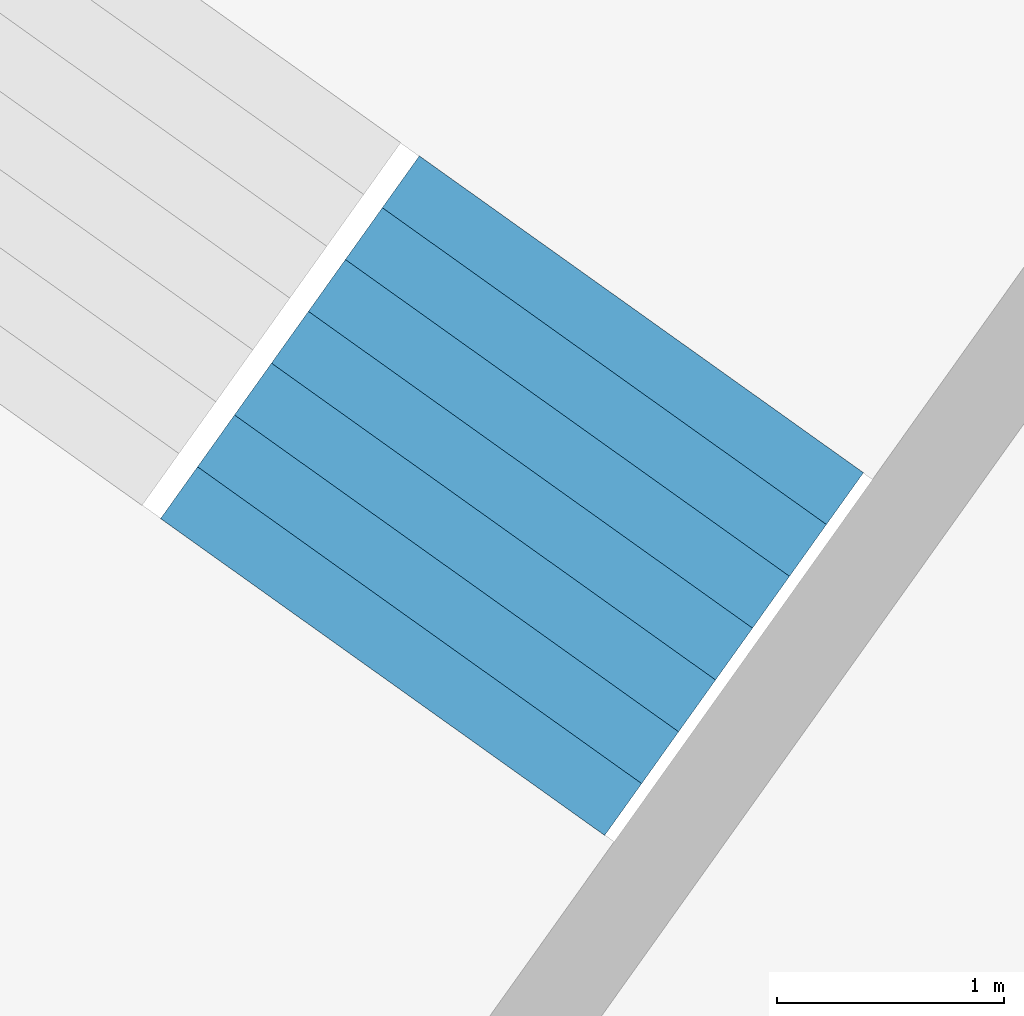
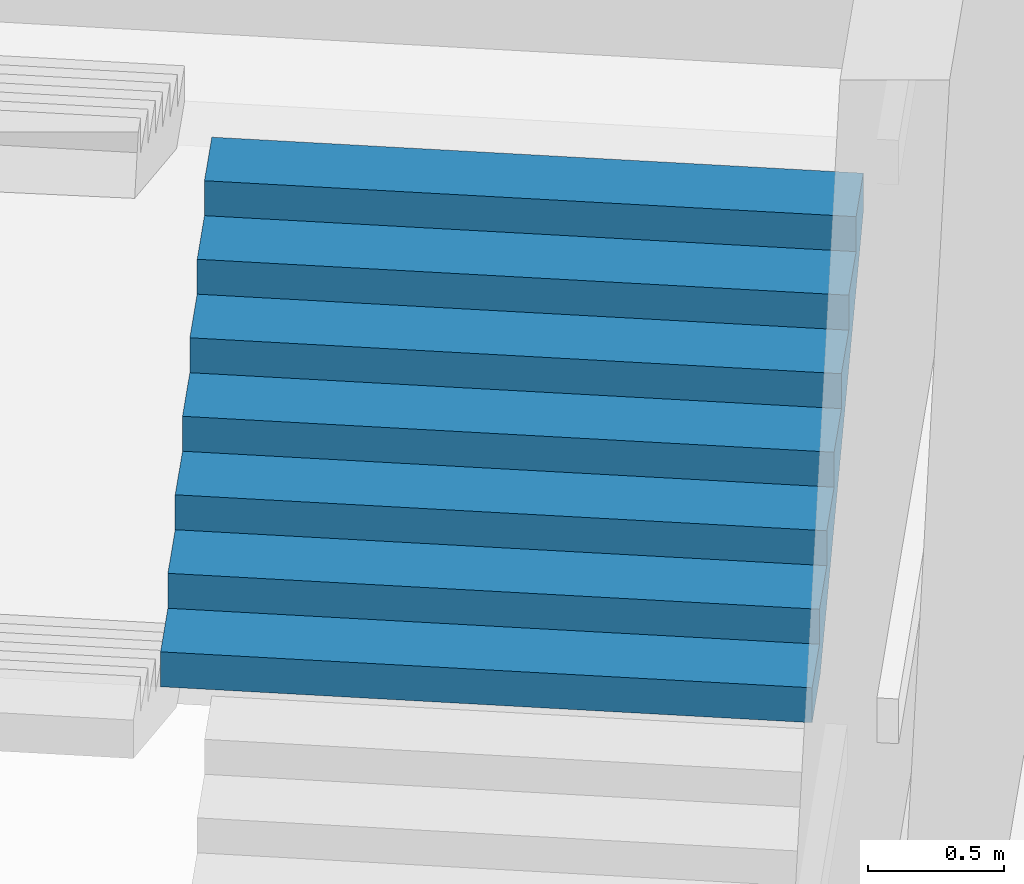
# One storey, part 72 of 73: 1 stair flight, 1 element without a shape of its own.
"""IFC4 building model written with IfcOpenShell, lengths in metres."""

from ifc_helpers import new_model, si_unit, direction, frame, origin, place, context, subcontext, project, spatial, triangles, material, type_object, element, aggregate, save


model = new_model("IFC4")

# Units and contexts
model_context = context("Model", 3, precision=1e-05, world=origin(), true_north=direction((0.0, 1.0)))
body_context = subcontext(model_context, "Body", "Model", "MODEL_VIEW")
ifc_project = project(units=[si_unit("LENGTHUNIT", "METRE"), si_unit("AREAUNIT", "SQUARE_METRE"), si_unit("VOLUMEUNIT", "CUBIC_METRE"), si_unit("PLANEANGLEUNIT", "RADIAN"), si_unit("MASSUNIT", "GRAM", prefix="KILO")], contexts=[model_context])

# Site, building, storey
site_placement = place(None, origin())
site = spatial("IfcSite", under=ifc_project, at=site_placement, CompositionType="ELEMENT")
building_placement = place(site_placement, origin())
building = spatial("IfcBuilding", under=site, at=building_placement, Name="Lantaw Convention Tower", CompositionType="ELEMENT")
storey_placement = place(building_placement, frame((0.0, 0.0, 22.0)))
storey = spatial("IfcBuildingStorey", under=building, at=storey_placement, Name="L03", CompositionType="ELEMENT", Elevation=22.0)

# Stair, stair flight
ifc_material = material(Name="Concrete C35/45", Category="concrete")
stair_type = type_object("IfcStairType", Name="Exit stair 2400 riser 156.25 in 4 flights", PredefinedType="HALF_TURN_STAIR", material=ifc_material)
stair_placement = place(storey_placement, origin())
stair = element("IfcStair", 1, at=stair_placement, inside=storey, type_object=stair_type, Name="Podium exit stair P4 L03", PredefinedType="HALF_TURN_STAIR")
stair_flight_type = type_object("IfcStairFlightType", Name="Stair flight 2400 riser 156.25", PredefinedType="STRAIGHT", material=ifc_material)
stair_flight_placement = place(storey_placement, frame((19.005615234375, 24.4921875, 2.5), z_axis=(0.0, 0.0, 1.0), x_axis=(0.580702955711, 0.814115518356, 0.0)))
stair_flight = element("IfcStairFlight", 2, at=stair_flight_placement, type_object=stair_flight_type, Name="P4 flight 3", NumberOfRisers=8, NumberOfTreads=7, PredefinedType="STRAIGHT", RiserHeight=0.15625, TreadLength=0.28, context=body_context, shape_type="Tessellation", body=[
    triangles([(0.0, 1.199951171875, 0.0), (0.0, 1.199951171875, 0.15625), (0.28, 1.199951171875, 0.0), (0.28, 1.199951171875, 0.15625), (0.28, 1.199951171875, 0.3125), (0.3076200632058044, 1.199951171875, 0.0), (0.3076200632058044, 1.199951171875, 0.3125), (0.56, 1.199951171875, 0.14083701830033238), (0.56, 1.199951171875, 0.3125), (0.56, 1.199951171875, 0.46875), (0.8400000000000001, 1.199951171875, 0.29708701830033235), (0.8400000000000001, 1.199951171875, 0.46875), (0.8400000000000001, 1.199951171875, 0.625), (1.12, 1.199951171875, 0.45333701830033235), (1.12, 1.199951171875, 0.625), (1.12, 1.199951171875, 0.78125), (1.4000000000000001, 1.199951171875, 0.6095870183003324), (1.4000000000000001, 1.199951171875, 0.78125), (1.4000000000000001, 1.199951171875, 0.9375), (1.6800000000000002, 1.199951171875, 0.7658370183003324), (1.6800000000000002, 1.199951171875, 0.9375), (1.6800000000000002, 1.199951171875, 1.09375), (1.9600000000000002, 1.199951171875, 0.9220870183003324), (1.9600000000000002, 1.199951171875, 1.09375), (0.0, -1.199951171875, 0.0), (0.0, -1.199951171875, 0.15625), (0.28, -1.199951171875, 0.0), (0.28, -1.199951171875, 0.15625), (0.28, -1.199951171875, 0.3125), (0.3076200632058044, -1.199951171875, 0.0), (0.3076200632058044, -1.199951171875, 0.3125), (0.56, -1.199951171875, 0.14083701830033238), (0.56, -1.199951171875, 0.3125), (0.56, -1.199951171875, 0.46875), (0.8400000000000001, -1.199951171875, 0.29708701830033235), (0.8400000000000001, -1.199951171875, 0.46875), (0.8400000000000001, -1.199951171875, 0.625), (1.12, -1.199951171875, 0.45333701830033235), (1.12, -1.199951171875, 0.625), (1.12, -1.199951171875, 0.78125), (1.4000000000000001, -1.199951171875, 0.6095870183003324), (1.4000000000000001, -1.199951171875, 0.78125), (1.4000000000000001, -1.199951171875, 0.9375), (1.6800000000000002, -1.199951171875, 0.7658370183003324), (1.6800000000000002, -1.199951171875, 0.9375), (1.6800000000000002, -1.199951171875, 1.09375), (1.9600000000000002, -1.199951171875, 0.9220870183003324), (1.9600000000000002, -1.199951171875, 1.09375), (0.0, 0.239990234375, 0.15625), (0.0, 0.239990234375, 0.0), (0.0, 0.1919921875, 0.15625), (0.0, 0.1919921875, 0.0), (0.0, 0.143994140625, 0.15625), (0.0, 0.143994140625, 0.0), (0.0, 0.09599609375, 0.15625), (0.0, 0.09599609375, 0.0), (0.0, 0.047998046875, 0.15625), (0.0, 0.047998046875, 0.0), (0.0, 0.0, 0.15625), (0.0, 0.0, 0.0), (0.0, -0.047998046875, 0.15625), (0.0, -0.047998046875, 0.0), (0.0, -0.09599609375, 0.15625), (0.0, -0.09599609375, 0.0), (0.0, -0.143994140625, 0.15625), (0.0, -0.143994140625, 0.0), (0.0, -0.1919921875, 0.15625), (0.0, -0.1919921875, 0.0), (0.0, -0.239990234375, 0.15625), (0.0, -0.239990234375, 0.0), (0.28, 0.239990234375, 0.3125), (0.28, 0.239990234375, 0.15625), (0.28, 0.1919921875, 0.3125), (0.28, 0.1919921875, 0.15625), (0.28, 0.143994140625, 0.3125), (0.28, 0.143994140625, 0.15625), (0.28, 0.09599609375, 0.3125), (0.28, 0.09599609375, 0.15625), (0.28, 0.047998046875, 0.3125), (0.28, 0.047998046875, 0.15625), (0.28, 0.0, 0.3125), (0.28, 0.0, 0.15625), (0.28, -0.047998046875, 0.3125), (0.28, -0.047998046875, 0.15625), (0.28, -0.09599609375, 0.3125), (0.28, -0.09599609375, 0.15625), (0.28, -0.143994140625, 0.3125), (0.28, -0.143994140625, 0.15625), (0.28, -0.1919921875, 0.3125), (0.28, -0.1919921875, 0.15625), (0.28, -0.239990234375, 0.3125), (0.28, -0.239990234375, 0.15625), (0.56, 0.239990234375, 0.46875), (0.56, 0.239990234375, 0.3125), (0.56, 0.1919921875, 0.46875), (0.56, 0.1919921875, 0.3125), (0.56, 0.143994140625, 0.46875), (0.56, 0.143994140625, 0.3125), (0.56, 0.09599609375, 0.46875), (0.56, 0.09599609375, 0.3125), (0.56, 0.047998046875, 0.46875), (0.56, 0.047998046875, 0.3125), (0.56, 0.0, 0.46875), (0.56, 0.0, 0.3125), (0.56, -0.047998046875, 0.46875), (0.56, -0.047998046875, 0.3125), (0.56, -0.09599609375, 0.46875), (0.56, -0.09599609375, 0.3125), (0.56, -0.143994140625, 0.46875), (0.56, -0.143994140625, 0.3125), (0.56, -0.1919921875, 0.46875), (0.56, -0.1919921875, 0.3125), (0.56, -0.239990234375, 0.46875), (0.56, -0.239990234375, 0.3125), (0.8400000000000001, 0.239990234375, 0.625), (0.8400000000000001, 0.239990234375, 0.46875), (0.8400000000000001, 0.1919921875, 0.625), (0.8400000000000001, 0.1919921875, 0.46875), (0.8400000000000001, 0.143994140625, 0.625), (0.8400000000000001, 0.143994140625, 0.46875), (0.8400000000000001, 0.09599609375, 0.625), (0.8400000000000001, 0.09599609375, 0.46875), (0.8400000000000001, 0.047998046875, 0.625), (0.8400000000000001, 0.047998046875, 0.46875), (0.8400000000000001, 0.0, 0.625), (0.8400000000000001, 0.0, 0.46875), (0.8400000000000001, -0.047998046875, 0.625), (0.8400000000000001, -0.047998046875, 0.46875), (0.8400000000000001, -0.09599609375, 0.625), (0.8400000000000001, -0.09599609375, 0.46875), (0.8400000000000001, -0.143994140625, 0.625), (0.8400000000000001, -0.143994140625, 0.46875), (0.8400000000000001, -0.1919921875, 0.625), (0.8400000000000001, -0.1919921875, 0.46875), (0.8400000000000001, -0.239990234375, 0.625), (0.8400000000000001, -0.239990234375, 0.46875), (1.12, 0.239990234375, 0.78125), (1.12, 0.239990234375, 0.625), (1.12, 0.1919921875, 0.78125), (1.12, 0.1919921875, 0.625), (1.12, 0.143994140625, 0.78125), (1.12, 0.143994140625, 0.625), (1.12, 0.09599609375, 0.78125), (1.12, 0.09599609375, 0.625), (1.12, 0.047998046875, 0.78125), (1.12, 0.047998046875, 0.625), (1.12, 0.0, 0.78125), (1.12, 0.0, 0.625), (1.12, -0.047998046875, 0.78125), (1.12, -0.047998046875, 0.625), (1.12, -0.09599609375, 0.78125), (1.12, -0.09599609375, 0.625), (1.12, -0.143994140625, 0.78125), (1.12, -0.143994140625, 0.625), (1.12, -0.1919921875, 0.78125), (1.12, -0.1919921875, 0.625), (1.12, -0.239990234375, 0.78125), (1.12, -0.239990234375, 0.625), (1.4000000000000001, 0.239990234375, 0.9375), (1.4000000000000001, 0.239990234375, 0.78125), (1.4000000000000001, 0.1919921875, 0.9375), (1.4000000000000001, 0.1919921875, 0.78125), (1.4000000000000001, 0.143994140625, 0.9375), (1.4000000000000001, 0.143994140625, 0.78125), (1.4000000000000001, 0.09599609375, 0.9375), (1.4000000000000001, 0.09599609375, 0.78125), (1.4000000000000001, 0.047998046875, 0.9375), (1.4000000000000001, 0.047998046875, 0.78125), (1.4000000000000001, 0.0, 0.9375), (1.4000000000000001, 0.0, 0.78125), (1.4000000000000001, -0.047998046875, 0.9375), (1.4000000000000001, -0.047998046875, 0.78125), (1.4000000000000001, -0.09599609375, 0.9375), (1.4000000000000001, -0.09599609375, 0.78125), (1.4000000000000001, -0.143994140625, 0.9375), (1.4000000000000001, -0.143994140625, 0.78125), (1.4000000000000001, -0.1919921875, 0.9375), (1.4000000000000001, -0.1919921875, 0.78125), (1.4000000000000001, -0.239990234375, 0.9375), (1.4000000000000001, -0.239990234375, 0.78125), (1.6800000000000002, 0.239990234375, 1.09375), (1.6800000000000002, 0.239990234375, 0.9375), (1.6800000000000002, 0.1919921875, 1.09375), (1.6800000000000002, 0.1919921875, 0.9375), (1.6800000000000002, 0.143994140625, 1.09375), (1.6800000000000002, 0.143994140625, 0.9375), (1.6800000000000002, 0.09599609375, 1.09375), (1.6800000000000002, 0.09599609375, 0.9375), (1.6800000000000002, 0.047998046875, 1.09375), (1.6800000000000002, 0.047998046875, 0.9375), (1.6800000000000002, 0.0, 1.09375), (1.6800000000000002, 0.0, 0.9375), (1.6800000000000002, -0.047998046875, 1.09375), (1.6800000000000002, -0.047998046875, 0.9375), (1.6800000000000002, -0.09599609375, 1.09375), (1.6800000000000002, -0.09599609375, 0.9375), (1.6800000000000002, -0.143994140625, 1.09375), (1.6800000000000002, -0.143994140625, 0.9375), (1.6800000000000002, -0.1919921875, 1.09375), (1.6800000000000002, -0.1919921875, 0.9375), (1.6800000000000002, -0.239990234375, 1.09375), (1.6800000000000002, -0.239990234375, 0.9375), (0.3076200632058044, 0.239990234375, 0.3125), (0.3076200632058044, 0.1919921875, 0.3125), (0.3076200632058044, 0.143994140625, 0.3125), (0.3076200632058044, 0.09599609375, 0.3125), (0.3076200632058044, 0.047998046875, 0.3125), (0.3076200632058044, 0.0, 0.3125), (0.3076200632058044, -0.047998046875, 0.3125), (0.3076200632058044, -0.09599609375, 0.3125), (0.3076200632058044, -0.143994140625, 0.3125), (0.3076200632058044, -0.1919921875, 0.3125), (0.3076200632058044, -0.239990234375, 0.3125), (1.9600000000000002, 0.239990234375, 1.09375), (1.9600000000000002, 0.1919921875, 1.09375), (1.9600000000000002, 0.143994140625, 1.09375), (1.9600000000000002, 0.09599609375, 1.09375), (1.9600000000000002, 0.047998046875, 1.09375), (1.9600000000000002, 0.0, 1.09375), (1.9600000000000002, -0.047998046875, 1.09375), (1.9600000000000002, -0.09599609375, 1.09375), (1.9600000000000002, -0.143994140625, 1.09375), (1.9600000000000002, -0.1919921875, 1.09375), (1.9600000000000002, -0.239990234375, 1.09375), (1.9600000000000002, 0.239990234375, 0.9220870183003324), (1.9600000000000002, 0.1919921875, 0.9220870183003324), (1.9600000000000002, 0.143994140625, 0.9220870183003324), (1.9600000000000002, 0.09599609375, 0.9220870183003324), (1.9600000000000002, 0.047998046875, 0.9220870183003324), (1.9600000000000002, 0.0, 0.9220870183003324), (1.9600000000000002, -0.047998046875, 0.9220870183003324), (1.9600000000000002, -0.09599609375, 0.9220870183003324), (1.9600000000000002, -0.143994140625, 0.9220870183003324), (1.9600000000000002, -0.1919921875, 0.9220870183003324), (1.9600000000000002, -0.239990234375, 0.9220870183003324), (1.6800000000000002, 0.239990234375, 0.7658370183003324), (1.6800000000000002, 0.1919921875, 0.7658370183003324), (1.6800000000000002, 0.143994140625, 0.7658370183003324), (1.6800000000000002, 0.09599609375, 0.7658370183003324), (1.6800000000000002, 0.047998046875, 0.7658370183003324), (1.6800000000000002, 0.0, 0.7658370183003324), (1.6800000000000002, -0.047998046875, 0.7658370183003324), (1.6800000000000002, -0.09599609375, 0.7658370183003324), (1.6800000000000002, -0.143994140625, 0.7658370183003324), (1.6800000000000002, -0.1919921875, 0.7658370183003324), (1.6800000000000002, -0.239990234375, 0.7658370183003324), (1.4000000000000001, 0.239990234375, 0.6095870183003324), (1.4000000000000001, 0.1919921875, 0.6095870183003324), (1.4000000000000001, 0.143994140625, 0.6095870183003324), (1.4000000000000001, 0.09599609375, 0.6095870183003324), (1.4000000000000001, 0.047998046875, 0.6095870183003324), (1.4000000000000001, 0.0, 0.6095870183003324), (1.4000000000000001, -0.047998046875, 0.6095870183003324), (1.4000000000000001, -0.09599609375, 0.6095870183003324), (1.4000000000000001, -0.143994140625, 0.6095870183003324), (1.4000000000000001, -0.1919921875, 0.6095870183003324), (1.4000000000000001, -0.239990234375, 0.6095870183003324), (1.12, 0.239990234375, 0.45333701830033235), (1.12, 0.1919921875, 0.45333701830033235), (1.12, 0.143994140625, 0.45333701830033235), (1.12, 0.09599609375, 0.45333701830033235), (1.12, 0.047998046875, 0.45333701830033235), (1.12, 0.0, 0.45333701830033235), (1.12, -0.047998046875, 0.45333701830033235), (1.12, -0.09599609375, 0.45333701830033235), (1.12, -0.143994140625, 0.45333701830033235), (1.12, -0.1919921875, 0.45333701830033235), (1.12, -0.239990234375, 0.45333701830033235), (0.8400000000000001, 0.239990234375, 0.29708701830033235), (0.8400000000000001, 0.1919921875, 0.29708701830033235), (0.8400000000000001, 0.143994140625, 0.29708701830033235), (0.8400000000000001, 0.09599609375, 0.29708701830033235), (0.8400000000000001, 0.047998046875, 0.29708701830033235), (0.8400000000000001, 0.0, 0.29708701830033235), (0.8400000000000001, -0.047998046875, 0.29708701830033235), (0.8400000000000001, -0.09599609375, 0.29708701830033235), (0.8400000000000001, -0.143994140625, 0.29708701830033235), (0.8400000000000001, -0.1919921875, 0.29708701830033235), (0.8400000000000001, -0.239990234375, 0.29708701830033235), (0.56, 0.239990234375, 0.14083701830033238), (0.56, 0.1919921875, 0.14083701830033238), (0.56, 0.143994140625, 0.14083701830033238), (0.56, 0.09599609375, 0.14083701830033238), (0.56, 0.047998046875, 0.14083701830033238), (0.56, 0.0, 0.14083701830033238), (0.56, -0.047998046875, 0.14083701830033238), (0.56, -0.09599609375, 0.14083701830033238), (0.56, -0.143994140625, 0.14083701830033238), (0.56, -0.1919921875, 0.14083701830033238), (0.56, -0.239990234375, 0.14083701830033238), (0.3076200632058044, 0.239990234375, 0.0), (0.3076200632058044, 0.1919921875, 0.0), (0.3076200632058044, 0.143994140625, 0.0), (0.3076200632058044, 0.09599609375, 0.0), (0.3076200632058044, 0.047998046875, 0.0), (0.3076200632058044, 0.0, 0.0), (0.3076200632058044, -0.047998046875, 0.0), (0.3076200632058044, -0.09599609375, 0.0), (0.3076200632058044, -0.143994140625, 0.0), (0.3076200632058044, -0.1919921875, 0.0), (0.3076200632058044, -0.239990234375, 0.0), (0.28, 0.239990234375, 0.0), (0.28, 0.1919921875, 0.0), (0.28, 0.143994140625, 0.0), (0.28, 0.09599609375, 0.0), (0.28, 0.047998046875, 0.0), (0.28, 0.0, 0.0), (0.28, -0.047998046875, 0.0), (0.28, -0.09599609375, 0.0), (0.28, -0.143994140625, 0.0), (0.28, -0.1919921875, 0.0), (0.28, -0.239990234375, 0.0)], [[1, 4, 3], [1, 2, 4], [3, 4, 6], [4, 7, 6], [4, 5, 7], [6, 9, 8], [6, 7, 9], [8, 9, 11], [9, 12, 11], [9, 10, 12], [11, 12, 14], [12, 15, 14], [12, 13, 15], [14, 15, 17], [15, 18, 17], [15, 16, 18], [17, 18, 20], [18, 21, 20], [18, 19, 21], [20, 21, 23], [21, 24, 23], [21, 22, 24], [25, 27, 28], [25, 28, 26], [27, 30, 28], [28, 30, 31], [28, 31, 29], [30, 32, 33], [30, 33, 31], [32, 35, 33], [33, 35, 36], [33, 36, 34], [35, 38, 36], [36, 38, 39], [36, 39, 37], [38, 41, 39], [39, 41, 42], [39, 42, 40], [41, 44, 42], [42, 44, 45], [42, 45, 43], [44, 47, 45], [45, 47, 48], [45, 48, 46], [1, 49, 2], [1, 50, 49], [50, 51, 49], [50, 52, 51], [52, 53, 51], [52, 54, 53], [54, 55, 53], [54, 56, 55], [56, 57, 55], [56, 58, 57], [58, 59, 57], [58, 60, 59], [60, 61, 59], [60, 62, 61], [62, 63, 61], [62, 64, 63], [64, 65, 63], [64, 66, 65], [66, 67, 65], [66, 68, 67], [68, 69, 67], [68, 70, 69], [70, 26, 69], [70, 25, 26], [4, 71, 5], [4, 72, 71], [72, 73, 71], [72, 74, 73], [74, 75, 73], [74, 76, 75], [76, 77, 75], [76, 78, 77], [78, 79, 77], [78, 80, 79], [80, 81, 79], [80, 82, 81], [82, 83, 81], [82, 84, 83], [84, 85, 83], [84, 86, 85], [86, 87, 85], [86, 88, 87], [88, 89, 87], [88, 90, 89], [90, 91, 89], [90, 92, 91], [92, 29, 91], [92, 28, 29], [9, 93, 10], [9, 94, 93], [94, 95, 93], [94, 96, 95], [96, 97, 95], [96, 98, 97], [98, 99, 97], [98, 100, 99], [100, 101, 99], [100, 102, 101], [102, 103, 101], [102, 104, 103], [104, 105, 103], [104, 106, 105], [106, 107, 105], [106, 108, 107], [108, 109, 107], [108, 110, 109], [110, 111, 109], [110, 112, 111], [112, 113, 111], [112, 114, 113], [114, 34, 113], [114, 33, 34], [12, 115, 13], [12, 116, 115], [116, 117, 115], [116, 118, 117], [118, 119, 117], [118, 120, 119], [120, 121, 119], [120, 122, 121], [122, 123, 121], [122, 124, 123], [124, 125, 123], [124, 126, 125], [126, 127, 125], [126, 128, 127], [128, 129, 127], [128, 130, 129], [130, 131, 129], [130, 132, 131], [132, 133, 131], [132, 134, 133], [134, 135, 133], [134, 136, 135], [136, 37, 135], [136, 36, 37], [15, 137, 16], [15, 138, 137], [138, 139, 137], [138, 140, 139], [140, 141, 139], [140, 142, 141], [142, 143, 141], [142, 144, 143], [144, 145, 143], [144, 146, 145], [146, 147, 145], [146, 148, 147], [148, 149, 147], [148, 150, 149], [150, 151, 149], [150, 152, 151], [152, 153, 151], [152, 154, 153], [154, 155, 153], [154, 156, 155], [156, 157, 155], [156, 158, 157], [158, 40, 157], [158, 39, 40], [18, 159, 19], [18, 160, 159], [160, 161, 159], [160, 162, 161], [162, 163, 161], [162, 164, 163], [164, 165, 163], [164, 166, 165], [166, 167, 165], [166, 168, 167], [168, 169, 167], [168, 170, 169], [170, 171, 169], [170, 172, 171], [172, 173, 171], [172, 174, 173], [174, 175, 173], [174, 176, 175], [176, 177, 175], [176, 178, 177], [178, 179, 177], [178, 180, 179], [180, 43, 179], [180, 42, 43], [21, 181, 22], [21, 182, 181], [182, 183, 181], [182, 184, 183], [184, 185, 183], [184, 186, 185], [186, 187, 185], [186, 188, 187], [188, 189, 187], [188, 190, 189], [190, 191, 189], [190, 192, 191], [192, 193, 191], [192, 194, 193], [194, 195, 193], [194, 196, 195], [196, 197, 195], [196, 198, 197], [198, 199, 197], [198, 200, 199], [200, 201, 199], [200, 202, 201], [202, 46, 201], [202, 45, 46], [2, 72, 4], [2, 49, 72], [49, 74, 72], [49, 51, 74], [51, 76, 74], [51, 53, 76], [53, 78, 76], [53, 55, 78], [55, 80, 78], [55, 57, 80], [57, 82, 80], [57, 59, 82], [59, 84, 82], [59, 61, 84], [61, 86, 84], [61, 63, 86], [63, 88, 86], [63, 65, 88], [65, 90, 88], [65, 67, 90], [67, 92, 90], [67, 69, 92], [69, 28, 92], [69, 26, 28], [5, 203, 7], [5, 71, 203], [71, 204, 203], [71, 73, 204], [73, 205, 204], [73, 75, 205], [75, 206, 205], [75, 77, 206], [77, 207, 206], [77, 79, 207], [79, 208, 207], [79, 81, 208], [81, 209, 208], [81, 83, 209], [83, 210, 209], [83, 85, 210], [85, 211, 210], [85, 87, 211], [87, 212, 211], [87, 89, 212], [89, 213, 212], [89, 91, 213], [91, 31, 213], [91, 29, 31], [7, 94, 9], [7, 203, 94], [203, 96, 94], [203, 204, 96], [204, 98, 96], [204, 205, 98], [205, 100, 98], [205, 206, 100], [206, 102, 100], [206, 207, 102], [207, 104, 102], [207, 208, 104], [208, 106, 104], [208, 209, 106], [209, 108, 106], [209, 210, 108], [210, 110, 108], [210, 211, 110], [211, 112, 110], [211, 212, 112], [212, 114, 112], [212, 213, 114], [213, 33, 114], [213, 31, 33], [10, 116, 12], [10, 93, 116], [93, 118, 116], [93, 95, 118], [95, 120, 118], [95, 97, 120], [97, 122, 120], [97, 99, 122], [99, 124, 122], [99, 101, 124], [101, 126, 124], [101, 103, 126], [103, 128, 126], [103, 105, 128], [105, 130, 128], [105, 107, 130], [107, 132, 130], [107, 109, 132], [109, 134, 132], [109, 111, 134], [111, 136, 134], [111, 113, 136], [113, 36, 136], [113, 34, 36], [13, 138, 15], [13, 115, 138], [115, 140, 138], [115, 117, 140], [117, 142, 140], [117, 119, 142], [119, 144, 142], [119, 121, 144], [121, 146, 144], [121, 123, 146], [123, 148, 146], [123, 125, 148], [125, 150, 148], [125, 127, 150], [127, 152, 150], [127, 129, 152], [129, 154, 152], [129, 131, 154], [131, 156, 154], [131, 133, 156], [133, 158, 156], [133, 135, 158], [135, 39, 158], [135, 37, 39], [16, 160, 18], [16, 137, 160], [137, 162, 160], [137, 139, 162], [139, 164, 162], [139, 141, 164], [141, 166, 164], [141, 143, 166], [143, 168, 166], [143, 145, 168], [145, 170, 168], [145, 147, 170], [147, 172, 170], [147, 149, 172], [149, 174, 172], [149, 151, 174], [151, 176, 174], [151, 153, 176], [153, 178, 176], [153, 155, 178], [155, 180, 178], [155, 157, 180], [157, 42, 180], [157, 40, 42], [19, 182, 21], [19, 159, 182], [159, 184, 182], [159, 161, 184], [161, 186, 184], [161, 163, 186], [163, 188, 186], [163, 165, 188], [165, 190, 188], [165, 167, 190], [167, 192, 190], [167, 169, 192], [169, 194, 192], [169, 171, 194], [171, 196, 194], [171, 173, 196], [173, 198, 196], [173, 175, 198], [175, 200, 198], [175, 177, 200], [177, 202, 200], [177, 179, 202], [179, 45, 202], [179, 43, 45], [22, 214, 24], [22, 181, 214], [181, 215, 214], [181, 183, 215], [183, 216, 215], [183, 185, 216], [185, 217, 216], [185, 187, 217], [187, 218, 217], [187, 189, 218], [189, 219, 218], [189, 191, 219], [191, 220, 219], [191, 193, 220], [193, 221, 220], [193, 195, 221], [195, 222, 221], [195, 197, 222], [197, 223, 222], [197, 199, 223], [199, 224, 223], [199, 201, 224], [201, 48, 224], [201, 46, 48], [24, 225, 23], [24, 214, 225], [214, 226, 225], [214, 215, 226], [215, 227, 226], [215, 216, 227], [216, 228, 227], [216, 217, 228], [217, 229, 228], [217, 218, 229], [218, 230, 229], [218, 219, 230], [219, 231, 230], [219, 220, 231], [220, 232, 231], [220, 221, 232], [221, 233, 232], [221, 222, 233], [222, 234, 233], [222, 223, 234], [223, 235, 234], [223, 224, 235], [224, 47, 235], [224, 48, 47], [23, 236, 20], [23, 225, 236], [225, 237, 236], [225, 226, 237], [226, 238, 237], [226, 227, 238], [227, 239, 238], [227, 228, 239], [228, 240, 239], [228, 229, 240], [229, 241, 240], [229, 230, 241], [230, 242, 241], [230, 231, 242], [231, 243, 242], [231, 232, 243], [232, 244, 243], [232, 233, 244], [233, 245, 244], [233, 234, 245], [234, 246, 245], [234, 235, 246], [235, 44, 246], [235, 47, 44], [20, 247, 17], [20, 236, 247], [236, 248, 247], [236, 237, 248], [237, 249, 248], [237, 238, 249], [238, 250, 249], [238, 239, 250], [239, 251, 250], [239, 240, 251], [240, 252, 251], [240, 241, 252], [241, 253, 252], [241, 242, 253], [242, 254, 253], [242, 243, 254], [243, 255, 254], [243, 244, 255], [244, 256, 255], [244, 245, 256], [245, 257, 256], [245, 246, 257], [246, 41, 257], [246, 44, 41], [17, 258, 14], [17, 247, 258], [247, 259, 258], [247, 248, 259], [248, 260, 259], [248, 249, 260], [249, 261, 260], [249, 250, 261], [250, 262, 261], [250, 251, 262], [251, 263, 262], [251, 252, 263], [252, 264, 263], [252, 253, 264], [253, 265, 264], [253, 254, 265], [254, 266, 265], [254, 255, 266], [255, 267, 266], [255, 256, 267], [256, 268, 267], [256, 257, 268], [257, 38, 268], [257, 41, 38], [14, 269, 11], [14, 258, 269], [258, 270, 269], [258, 259, 270], [259, 271, 270], [259, 260, 271], [260, 272, 271], [260, 261, 272], [261, 273, 272], [261, 262, 273], [262, 274, 273], [262, 263, 274], [263, 275, 274], [263, 264, 275], [264, 276, 275], [264, 265, 276], [265, 277, 276], [265, 266, 277], [266, 278, 277], [266, 267, 278], [267, 279, 278], [267, 268, 279], [268, 35, 279], [268, 38, 35], [11, 280, 8], [11, 269, 280], [269, 281, 280], [269, 270, 281], [270, 282, 281], [270, 271, 282], [271, 283, 282], [271, 272, 283], [272, 284, 283], [272, 273, 284], [273, 285, 284], [273, 274, 285], [274, 286, 285], [274, 275, 286], [275, 287, 286], [275, 276, 287], [276, 288, 287], [276, 277, 288], [277, 289, 288], [277, 278, 289], [278, 290, 289], [278, 279, 290], [279, 32, 290], [279, 35, 32], [8, 291, 6], [8, 280, 291], [280, 292, 291], [280, 281, 292], [281, 293, 292], [281, 282, 293], [282, 294, 293], [282, 283, 294], [283, 295, 294], [283, 284, 295], [284, 296, 295], [284, 285, 296], [285, 297, 296], [285, 286, 297], [286, 298, 297], [286, 287, 298], [287, 299, 298], [287, 288, 299], [288, 300, 299], [288, 289, 300], [289, 301, 300], [289, 290, 301], [290, 30, 301], [290, 32, 30], [6, 302, 3], [6, 291, 302], [291, 303, 302], [291, 292, 303], [292, 304, 303], [292, 293, 304], [293, 305, 304], [293, 294, 305], [294, 306, 305], [294, 295, 306], [295, 307, 306], [295, 296, 307], [296, 308, 307], [296, 297, 308], [297, 309, 308], [297, 298, 309], [298, 310, 309], [298, 299, 310], [299, 311, 310], [299, 300, 311], [300, 312, 311], [300, 301, 312], [301, 27, 312], [301, 30, 27], [3, 50, 1], [3, 302, 50], [302, 52, 50], [302, 303, 52], [303, 54, 52], [303, 304, 54], [304, 56, 54], [304, 305, 56], [305, 58, 56], [305, 306, 58], [306, 60, 58], [306, 307, 60], [307, 62, 60], [307, 308, 62], [308, 64, 62], [308, 309, 64], [309, 66, 64], [309, 310, 66], [310, 68, 66], [310, 311, 68], [311, 70, 68], [311, 312, 70], [312, 25, 70], [312, 27, 25]], closed=True),
])
aggregate(stair, [stair_flight])

save(model, "model.ifc")
